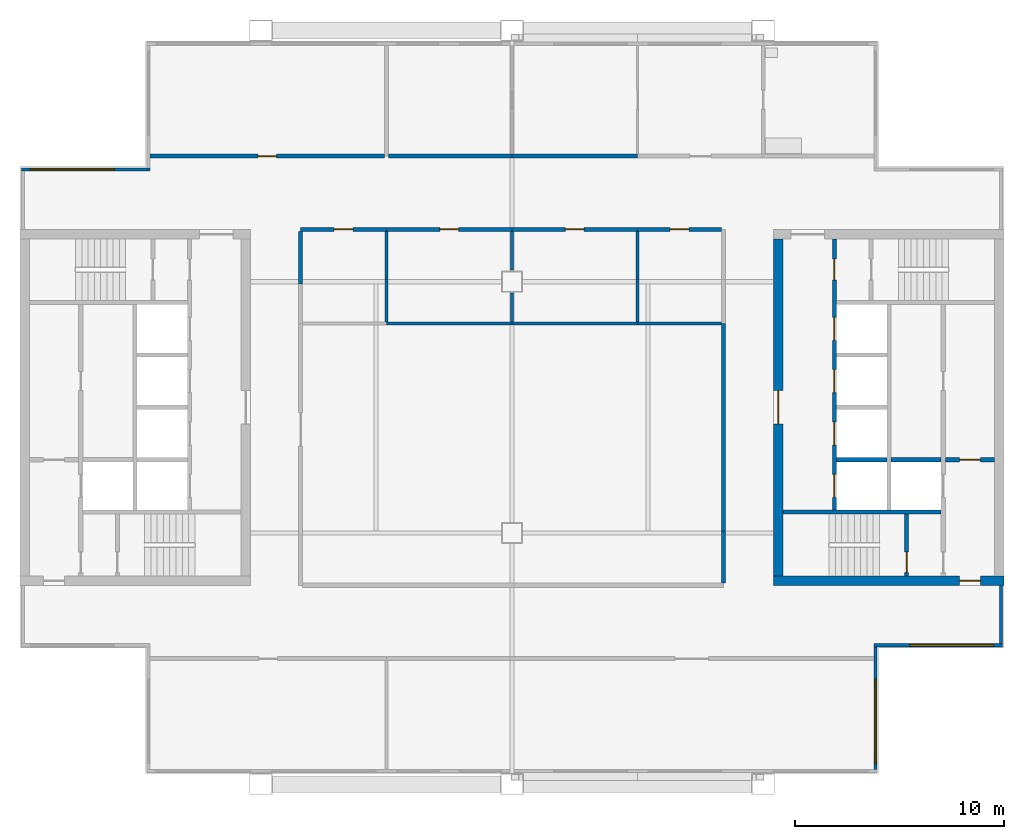
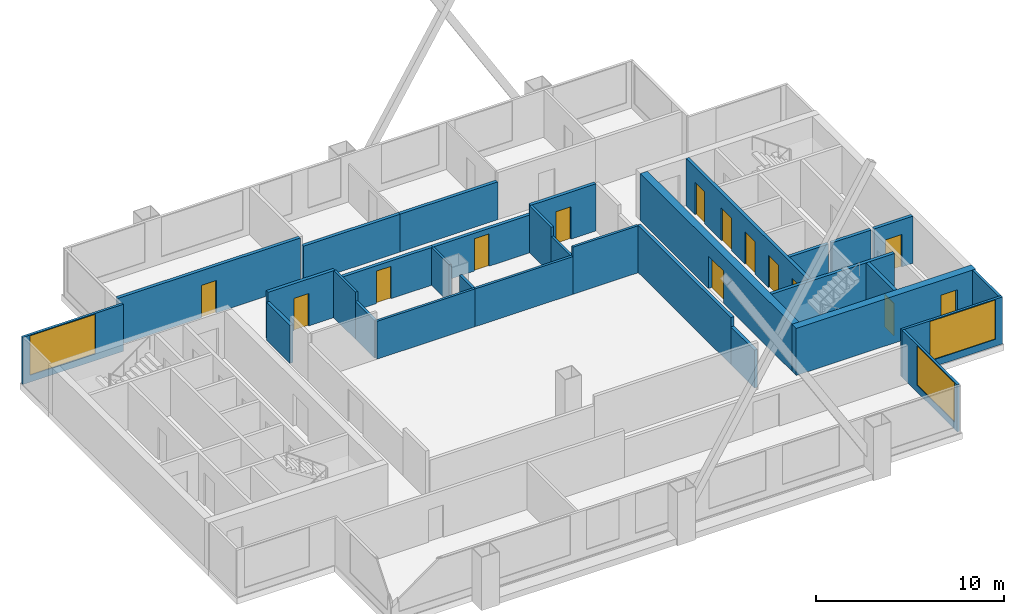
# One storey, part 3 of 7: 31 walls, 14 doors, 3 windows, 17 openings.
"""IFC4 building model written with IfcOpenShell, lengths in metres."""

from ifc_helpers import new_model, si_unit, direction, frame, frame_2d, origin, place, context, subcontext, project, spatial, rectangle, extrude, material, layer, layer_set, type_object, element, fill, save


model = new_model("IFC4")

# Units and contexts
model_context = context("Model", 3, precision=1e-05, world=origin(), true_north=direction((0.0, 1.0)))
body_context = subcontext(model_context, "Body", "Model", "MODEL_VIEW")
ifc_project = project(units=[si_unit("LENGTHUNIT", "METRE"), si_unit("AREAUNIT", "SQUARE_METRE"), si_unit("VOLUMEUNIT", "CUBIC_METRE"), si_unit("PLANEANGLEUNIT", "RADIAN"), si_unit("MASSUNIT", "GRAM", prefix="KILO")], contexts=[model_context])

# Site, building, storey
site_placement = place(None, origin())
site = spatial("IfcSite", under=ifc_project, at=site_placement, CompositionType="ELEMENT")
building_placement = place(site_placement, origin())
building = spatial("IfcBuilding", under=site, at=building_placement, Name="Kitamizu Gate Tower and Museum", CompositionType="ELEMENT")
storey_placement = place(building_placement, frame((0.0, 0.0, 238.64990234375)))
storey = spatial("IfcBuildingStorey", under=building, at=storey_placement, Name="L64", CompositionType="ELEMENT", Elevation=238.64990234375)

# Wall, opening, door
ifc_material_1 = material(Name="Concrete Fc42", Category="concrete")
ifc_layer_1 = layer(ifc_material_1, 0.449951171875)
ifc_layer_set_1 = layer_set([ifc_layer_1], Name="Concrete Fc42")
wall_type_1 = type_object("IfcWallType", Name="Core wall 450", PredefinedType="SHEAR", material=ifc_layer_set_1)
wall_1_placement = place(storey_placement, frame((59.5, 21.72509765625, 0.0), z_axis=(0.0, 0.0, 1.0), x_axis=(-1.0, 0.0, 0.0)))
wall_1 = element("IfcWall", 1, at=wall_1_placement, inside=storey, type_object=wall_type_1, Name="Core wall ES", PredefinedType="SHEAR", context=body_context, shape_type="SweptSolid", body=[
    extrude(rectangle(XDim=11.0, YDim=0.449951171875, at=frame_2d((5.5, 0.0))), origin(), (0.0, 0.0, 1.0), 3.050048828125),
])
opening_1_placement = place(wall_1_placement, frame((1.125, 0.0, 0.0)))
opening_1 = element("IfcOpeningElement", 2, at=opening_1_placement, cuts=wall_1, Name="Opening L64-027", PredefinedType="OPENING", context=body_context, shape_type="SweptSolid", body=[
    extrude(rectangle(XDim=1.0, YDim=2.10009765625, at=frame_2d((0.5, 1.050048828125))), frame((0.0, 0.23486328125, 0.0), z_axis=(0.0, -1.0, 0.0), x_axis=(1.0, 0.0, 0.0)), (0.0, 0.0, 1.0), 0.469970703125),
])
ifc_material_2 = material(Name="Hollow metal door set")
door_type_1 = type_object("IfcDoorType", Name="Fire door 1000", OperationType="NOTDEFINED", PredefinedType="DOOR", material=ifc_material_2)
door_1_placement = place(opening_1_placement, frame((1.0, 0.0, 0.0), x_axis=(-1.0, 0.0, 0.0)))
door_1 = element("IfcDoor", 3, at=door_1_placement, inside=storey, type_object=door_type_1, Name="Fire-fighting lobby door L64-027", OperationType="SINGLE_SWING_LEFT", OverallHeight=2.10009765625, OverallWidth=1.0, PredefinedType="DOOR", context=body_context, shape_type="SweptSolid", body=[
    extrude(rectangle(XDim=1.0, YDim=2.10009765625, at=frame_2d((0.5, 1.050048828125))), frame((0.0, 0.02490234375, 0.0), z_axis=(0.0, -1.0, 0.0), x_axis=(1.0, 0.0, 0.0)), (0.0, 0.0, 1.0), 0.050048828125),
])
fill(opening_1, door_1)

wall_2_placement = place(storey_placement, frame((48.72509765625, 21.949951171875, 0.0), z_axis=(0.0, 0.0, 1.0), x_axis=(0.0, 1.0, 0.0)))
wall_2 = element("IfcWall", 4, at=wall_2_placement, inside=storey, type_object=wall_type_1, Name="Core wall EARC", PredefinedType="SHEAR", context=body_context, shape_type="SweptSolid", body=[
    extrude(rectangle(XDim=16.10009765625, YDim=0.449951171875, at=frame_2d((8.050048828125, 0.0))), origin(), (0.0, 0.0, 1.0), 3.050048828125),
])
opening_2_placement = place(wall_2_placement, frame((7.25, 0.0, 0.0)))
opening_2 = element("IfcOpeningElement", 5, at=opening_2_placement, cuts=wall_2, Name="Opening L64-029", PredefinedType="OPENING", context=body_context, shape_type="SweptSolid", body=[
    extrude(rectangle(XDim=1.60009765625, YDim=2.10009765625, at=frame_2d((0.800048828125, 1.050048828125))), frame((0.0, 0.23486328125, 0.0), z_axis=(0.0, -1.0, 0.0), x_axis=(1.0, 0.0, 0.0)), (0.0, 0.0, 1.0), 0.469970703125),
])
ifc_material_3 = material(Name="Timber door set", Category="wood")
door_type_2 = type_object("IfcDoorType", Name="Entrance door 1600", OperationType="DOUBLE_DOOR_SINGLE_SWING", PredefinedType="DOOR", material=ifc_material_3)
door_2_placement = place(opening_2_placement, origin())
door_2 = element("IfcDoor", 6, at=door_2_placement, inside=storey, type_object=door_type_2, Name="Lobby door L64-029", OperationType="DOUBLE_DOOR_SINGLE_SWING", OverallHeight=2.10009765625, OverallWidth=1.60009765625, PredefinedType="DOOR", context=body_context, shape_type="SweptSolid", body=[
    extrude(rectangle(XDim=1.60009765625, YDim=2.10009765625, at=frame_2d((0.800048828125, 1.050048828125))), frame((0.0, 0.02490234375, 0.0), z_axis=(0.0, -1.0, 0.0), x_axis=(1.0, 0.0, 0.0)), (0.0, 0.0, 1.0), 0.050048828125),
])
fill(opening_2, door_2)

# Walls
ifc_material_4 = material(Name="Gypsum board on galvanised stud")
ifc_layer_2 = layer(ifc_material_4, 0.14990234375)
ifc_layer_set_2 = layer_set([ifc_layer_2], Name="Gypsum board on galvanised stud")
wall_type_2 = type_object("IfcWallType", Name="Partition 150", PredefinedType="PARTITIONING", material=ifc_layer_set_2)
for number, where, z_axis, x_axis, name in (
    (7, (36.0, 34.0, 0.0), (0.0, 0.0, 1.0), (-1.0, 0.0, 0.0), "Partition L64-029"),
    (8, (42.0, 34.0, 0.0), (0.0, 0.0, 1.0), (-1.0, 0.0, 0.0), "Partition L64-030"),
):
    element("IfcWall", number, at=place(storey_placement, frame(where, z_axis=z_axis, x_axis=x_axis)), inside=storey, type_object=wall_type_2, Name=name, PredefinedType="PARTITIONING", context=body_context, shape_type="SweptSolid", body=[
        extrude(rectangle(XDim=6.0, YDim=0.14990234375, at=frame_2d((3.0, 0.0))), origin(), (0.0, 0.0, 1.0), 2.4501953125),
    ])
wall_3_placement = place(storey_placement, frame((46.0, 34.0, 0.0), z_axis=(0.0, 0.0, 1.0), x_axis=(-1.0, 0.0, 0.0)))
element("IfcWall", 9, at=wall_3_placement, inside=storey, type_object=wall_type_2, Name="Partition L64-031", PredefinedType="PARTITIONING", context=body_context, shape_type="SweptSolid", body=[
    extrude(rectangle(XDim=4.0, YDim=0.14990234375, at=frame_2d((2.0, 0.0))), origin(), (0.0, 0.0, 1.0), 3.050048828125),
])
wall_4_placement = place(storey_placement, frame((30.0, 34.074951171875, 0.0), z_axis=(0.0, 0.0, 1.0), x_axis=(0.0, 1.0, 0.0)))
element("IfcWall", 10, at=wall_4_placement, inside=storey, type_object=wall_type_2, Name="Partition L64-032", PredefinedType="PARTITIONING", context=body_context, shape_type="SweptSolid", body=[
    extrude(rectangle(XDim=2.025146484375, YDim=0.14990234375, at=frame_2d((1.0126953125, 0.0))), origin(), (0.0, 0.0, 1.0), 2.4501953125),
])
wall_5_placement = place(storey_placement, frame((30.0, 36.10009765625, 0.0), z_axis=(0.0, 0.0, 1.0), x_axis=(0.0, 1.0, 0.0)))
element("IfcWall", 11, at=wall_5_placement, inside=storey, type_object=wall_type_2, Name="Partition L64-033", PredefinedType="PARTITIONING", context=body_context, shape_type="SweptSolid", body=[
    extrude(rectangle(XDim=2.2998046875, YDim=0.14990234375, at=frame_2d((1.14990234375, 0.0))), origin(), (0.0, 0.0, 1.0), 3.050048828125),
])
wall_6_placement = place(storey_placement, frame((36.0, 34.074951171875, 0.0), z_axis=(0.0, 0.0, 1.0), x_axis=(0.0, 1.0, 0.0)))
element("IfcWall", 12, at=wall_6_placement, inside=storey, type_object=wall_type_2, Name="Partition L64-034", PredefinedType="PARTITIONING", context=body_context, shape_type="SweptSolid", body=[
    extrude(rectangle(XDim=1.375, YDim=0.14990234375, at=frame_2d((0.6875, 0.0))), origin(), (0.0, 0.0, 1.0), 2.4501953125),
])
wall_7_placement = place(storey_placement, frame((36.0, 36.550048828125, 0.0), z_axis=(0.0, 0.0, 1.0), x_axis=(0.0, 1.0, 0.0)))
element("IfcWall", 13, at=wall_7_placement, inside=storey, type_object=wall_type_2, Name="Partition L64-035", PredefinedType="PARTITIONING", context=body_context, shape_type="SweptSolid", body=[
    extrude(rectangle(XDim=1.849853515625, YDim=0.14990234375, at=frame_2d((0.9248046875, 0.0))), origin(), (0.0, 0.0, 1.0), 2.4501953125),
])
wall_8_placement = place(storey_placement, frame((42.0, 34.074951171875, 0.0), z_axis=(0.0, 0.0, 1.0), x_axis=(0.0, 1.0, 0.0)))
element("IfcWall", 14, at=wall_8_placement, inside=storey, type_object=wall_type_2, Name="Partition L64-036", PredefinedType="PARTITIONING", context=body_context, shape_type="SweptSolid", body=[
    extrude(rectangle(XDim=2.025146484375, YDim=0.14990234375, at=frame_2d((1.0126953125, 0.0))), origin(), (0.0, 0.0, 1.0), 2.4501953125),
])
wall_9_placement = place(storey_placement, frame((42.0, 36.10009765625, 0.0), z_axis=(0.0, 0.0, 1.0), x_axis=(0.0, 1.0, 0.0)))
element("IfcWall", 15, at=wall_9_placement, inside=storey, type_object=wall_type_2, Name="Partition L64-037", PredefinedType="PARTITIONING", context=body_context, shape_type="SweptSolid", body=[
    extrude(rectangle(XDim=2.2998046875, YDim=0.14990234375, at=frame_2d((1.14990234375, 0.0))), origin(), (0.0, 0.0, 1.0), 3.050048828125),
])

# Wall, opening, door
ifc_material_5 = material(Name="Gypsum board on galvanised stud")
ifc_layer_3 = layer(ifc_material_5, 0.199951171875)
ifc_layer_set_3 = layer_set([ifc_layer_3], Name="Gypsum board on galvanised stud")
wall_type_3 = type_object("IfcWallType", Name="Partition 200", PredefinedType="PARTITIONING", material=ifc_layer_set_3)
wall_10_placement = place(storey_placement, frame((18.719970703125, 42.0, 0.0), z_axis=(0.0, 0.0, 1.0), x_axis=(1.0, 0.0, 0.0)))
wall_10 = element("IfcWall", 16, at=wall_10_placement, inside=storey, type_object=wall_type_3, Name="Partition L64-002", PredefinedType="PARTITIONING", context=body_context, shape_type="SweptSolid", body=[
    extrude(rectangle(XDim=11.179931640625, YDim=0.199951171875, at=frame_2d((5.58984375, 0.0))), origin(), (0.0, 0.0, 1.0), 3.050048828125),
])
opening_3_placement = place(wall_10_placement, frame((5.139892578125, 0.0, 0.0)))
opening_3 = element("IfcOpeningElement", 17, at=opening_3_placement, cuts=wall_10, Name="Opening L64-005", PredefinedType="OPENING", context=body_context, shape_type="SweptSolid", body=[
    extrude(rectangle(XDim=0.89990234375, YDim=2.10009765625, at=frame_2d((0.449951171875, 1.050048828125))), frame((0.0, 0.10986328125, 0.0), z_axis=(0.0, -1.0, 0.0), x_axis=(1.0, 0.0, 0.0)), (0.0, 0.0, 1.0), 0.219970703125),
])
ifc_material_6 = material(Name="Timber door set", Category="wood")
door_type_3 = type_object("IfcDoorType", Name="Room door 900", OperationType="NOTDEFINED", PredefinedType="DOOR", material=ifc_material_6)
door_3_placement = place(opening_3_placement, origin())
door_3 = element("IfcDoor", 18, at=door_3_placement, inside=storey, type_object=door_type_3, Name="Door L64-005", OperationType="SINGLE_SWING_RIGHT", OverallHeight=2.10009765625, OverallWidth=0.89990234375, PredefinedType="DOOR", context=body_context, shape_type="SweptSolid", body=[
    extrude(rectangle(XDim=0.89990234375, YDim=2.10009765625, at=frame_2d((0.449951171875, 1.050048828125))), frame((0.0, 0.02490234375, 0.0), z_axis=(0.0, -1.0, 0.0), x_axis=(1.0, 0.0, 0.0)), (0.0, 0.0, 1.0), 0.050048828125),
])
fill(opening_3, door_3)

# Walls
wall_11_placement = place(storey_placement, frame((30.10009765625, 42.0, 0.0), z_axis=(0.0, 0.0, 1.0), x_axis=(1.0, 0.0, 0.0)))
element("IfcWall", 19, at=wall_11_placement, inside=storey, type_object=wall_type_3, Name="Partition L64-004", PredefinedType="PARTITIONING", context=body_context, shape_type="SweptSolid", body=[
    extrude(rectangle(XDim=5.89990234375, YDim=0.199951171875, at=frame_2d((2.949951171875, 0.0))), origin(), (0.0, 0.0, 1.0), 2.4501953125),
])
wall_12_placement = place(storey_placement, frame((36.0, 42.0, 0.0), z_axis=(0.0, 0.0, 1.0), x_axis=(1.0, 0.0, 0.0)))
element("IfcWall", 20, at=wall_12_placement, inside=storey, type_object=wall_type_3, Name="Partition L64-006", PredefinedType="PARTITIONING", context=body_context, shape_type="SweptSolid", body=[
    extrude(rectangle(XDim=6.0, YDim=0.199951171875, at=frame_2d((3.0, 0.0))), origin(), (0.0, 0.0, 1.0), 2.4501953125),
])
wall_13_placement = place(storey_placement, frame((46.10009765625, 21.60009765625, 0.0), z_axis=(0.0, 0.0, 1.0), x_axis=(0.0, 1.0, 0.0)))
element("IfcWall", 21, at=wall_13_placement, inside=storey, type_object=wall_type_3, Name="Partition L64-018", PredefinedType="PARTITIONING", context=body_context, shape_type="SweptSolid", body=[
    extrude(rectangle(XDim=2.5, YDim=0.199951171875, at=frame_2d((1.25, 0.0))), origin(), (0.0, 0.0, 1.0), 2.4501953125),
])
wall_14_placement = place(storey_placement, frame((46.10009765625, 24.10009765625, 0.0), z_axis=(0.0, 0.0, 1.0), x_axis=(0.0, 1.0, 0.0)))
element("IfcWall", 22, at=wall_14_placement, inside=storey, type_object=wall_type_3, Name="Partition L64-019", PredefinedType="PARTITIONING", context=body_context, shape_type="SweptSolid", body=[
    extrude(rectangle(XDim=9.89990234375, YDim=0.199951171875, at=frame_2d((4.949951171875, 0.0))), origin(), (0.0, 0.0, 1.0), 3.050048828125),
])

# Wall, opening, door
wall_15_placement = place(storey_placement, frame((30.0, 38.5, 0.0), z_axis=(0.0, 0.0, 1.0), x_axis=(-1.0, 0.0, 0.0)))
wall_15 = element("IfcWall", 23, at=wall_15_placement, inside=storey, type_object=wall_type_3, Name="Partition L64-020", PredefinedType="PARTITIONING", context=body_context, shape_type="SweptSolid", body=[
    extrude(rectangle(XDim=4.10009765625, YDim=0.199951171875, at=frame_2d((2.050048828125, 0.0))), origin(), (0.0, 0.0, 1.0), 3.050048828125),
])
opening_4_placement = place(wall_15_placement, frame((1.60009765625, 0.0, 0.0)))
opening_4 = element("IfcOpeningElement", 24, at=opening_4_placement, cuts=wall_15, Name="Opening L64-009", PredefinedType="OPENING", context=body_context, shape_type="SweptSolid", body=[
    extrude(rectangle(XDim=0.89990234375, YDim=2.10009765625, at=frame_2d((0.449951171875, 1.050048828125))), frame((0.0, 0.10986328125, 0.0), z_axis=(0.0, -1.0, 0.0), x_axis=(1.0, 0.0, 0.0)), (0.0, 0.0, 1.0), 0.219970703125),
])
door_4_placement = place(opening_4_placement, origin())
door_4 = element("IfcDoor", 25, at=door_4_placement, inside=storey, type_object=door_type_3, Name="Door L64-009", OperationType="SINGLE_SWING_RIGHT", OverallHeight=2.10009765625, OverallWidth=0.89990234375, PredefinedType="DOOR", context=body_context, shape_type="SweptSolid", body=[
    extrude(rectangle(XDim=0.89990234375, YDim=2.10009765625, at=frame_2d((0.449951171875, 1.050048828125))), frame((0.0, 0.02490234375, 0.0), z_axis=(0.0, -1.0, 0.0), x_axis=(1.0, 0.0, 0.0)), (0.0, 0.0, 1.0), 0.050048828125),
])
fill(opening_4, door_4)

# Wall
wall_16_placement = place(storey_placement, frame((25.89990234375, 38.39990234375, 0.0), z_axis=(0.0, 0.0, 1.0), x_axis=(0.0, -1.0, 0.0)))
element("IfcWall", 26, at=wall_16_placement, inside=storey, type_object=wall_type_3, Name="Partition L64-021", PredefinedType="PARTITIONING", context=body_context, shape_type="SweptSolid", body=[
    extrude(rectangle(XDim=2.5, YDim=0.199951171875, at=frame_2d((1.25, 0.0))), origin(), (0.0, 0.0, 1.0), 2.4501953125),
])

# Wall, opening, door
wall_17_placement = place(storey_placement, frame((36.0, 38.5, 0.0), z_axis=(0.0, 0.0, 1.0), x_axis=(-1.0, 0.0, 0.0)))
wall_17 = element("IfcWall", 27, at=wall_17_placement, inside=storey, type_object=wall_type_3, Name="Partition L64-023", PredefinedType="PARTITIONING", context=body_context, shape_type="SweptSolid", body=[
    extrude(rectangle(XDim=6.0, YDim=0.199951171875, at=frame_2d((3.0, 0.0))), origin(), (0.0, 0.0, 1.0), 2.4501953125),
])
opening_5_placement = place(wall_17_placement, frame((2.550048828125, 0.0, 0.0)))
opening_5 = element("IfcOpeningElement", 28, at=opening_5_placement, cuts=wall_17, Name="Opening L64-010", PredefinedType="OPENING", context=body_context, shape_type="SweptSolid", body=[
    extrude(rectangle(XDim=0.89990234375, YDim=2.10009765625, at=frame_2d((0.449951171875, 1.050048828125))), frame((0.0, 0.10986328125, 0.0), z_axis=(0.0, -1.0, 0.0), x_axis=(1.0, 0.0, 0.0)), (0.0, 0.0, 1.0), 0.219970703125),
])
door_5_placement = place(opening_5_placement, origin())
door_5 = element("IfcDoor", 29, at=door_5_placement, inside=storey, type_object=door_type_3, Name="Door L64-010", OperationType="SINGLE_SWING_LEFT", OverallHeight=2.10009765625, OverallWidth=0.89990234375, PredefinedType="DOOR", context=body_context, shape_type="SweptSolid", body=[
    extrude(rectangle(XDim=0.89990234375, YDim=2.10009765625, at=frame_2d((0.449951171875, 1.050048828125))), frame((0.0, 0.02490234375, 0.0), z_axis=(0.0, -1.0, 0.0), x_axis=(1.0, 0.0, 0.0)), (0.0, 0.0, 1.0), 0.050048828125),
])
fill(opening_5, door_5)

wall_18_placement = place(storey_placement, frame((42.0, 38.5, 0.0), z_axis=(0.0, 0.0, 1.0), x_axis=(-1.0, 0.0, 0.0)))
wall_18 = element("IfcWall", 30, at=wall_18_placement, inside=storey, type_object=wall_type_3, Name="Partition L64-024", PredefinedType="PARTITIONING", context=body_context, shape_type="SweptSolid", body=[
    extrude(rectangle(XDim=6.0, YDim=0.199951171875, at=frame_2d((3.0, 0.0))), origin(), (0.0, 0.0, 1.0), 2.4501953125),
])
opening_6_placement = place(wall_18_placement, frame((2.550048828125, 0.0, 0.0)))
opening_6 = element("IfcOpeningElement", 31, at=opening_6_placement, cuts=wall_18, Name="Opening L64-011", PredefinedType="OPENING", context=body_context, shape_type="SweptSolid", body=[
    extrude(rectangle(XDim=0.89990234375, YDim=2.10009765625, at=frame_2d((0.449951171875, 1.050048828125))), frame((0.0, 0.10986328125, 0.0), z_axis=(0.0, -1.0, 0.0), x_axis=(1.0, 0.0, 0.0)), (0.0, 0.0, 1.0), 0.219970703125),
])
door_6_placement = place(opening_6_placement, origin())
door_6 = element("IfcDoor", 32, at=door_6_placement, inside=storey, type_object=door_type_3, Name="Door L64-011", OperationType="SINGLE_SWING_RIGHT", OverallHeight=2.10009765625, OverallWidth=0.89990234375, PredefinedType="DOOR", context=body_context, shape_type="SweptSolid", body=[
    extrude(rectangle(XDim=0.89990234375, YDim=2.10009765625, at=frame_2d((0.449951171875, 1.050048828125))), frame((0.0, 0.02490234375, 0.0), z_axis=(0.0, -1.0, 0.0), x_axis=(1.0, 0.0, 0.0)), (0.0, 0.0, 1.0), 0.050048828125),
])
fill(opening_6, door_6)

wall_19_placement = place(storey_placement, frame((46.0, 38.5, 0.0), z_axis=(0.0, 0.0, 1.0), x_axis=(-1.0, 0.0, 0.0)))
wall_19 = element("IfcWall", 33, at=wall_19_placement, inside=storey, type_object=wall_type_3, Name="Partition L64-027", PredefinedType="PARTITIONING", context=body_context, shape_type="SweptSolid", body=[
    extrude(rectangle(XDim=4.0, YDim=0.199951171875, at=frame_2d((2.0, 0.0))), origin(), (0.0, 0.0, 1.0), 3.050048828125),
])
opening_7_placement = place(wall_19_placement, frame((1.550048828125, 0.0, 0.0)))
opening_7 = element("IfcOpeningElement", 34, at=opening_7_placement, cuts=wall_19, Name="Opening L64-012", PredefinedType="OPENING", context=body_context, shape_type="SweptSolid", body=[
    extrude(rectangle(XDim=0.89990234375, YDim=2.10009765625, at=frame_2d((0.449951171875, 1.050048828125))), frame((0.0, 0.10986328125, 0.0), z_axis=(0.0, -1.0, 0.0), x_axis=(1.0, 0.0, 0.0)), (0.0, 0.0, 1.0), 0.219970703125),
])
door_7_placement = place(opening_7_placement, origin())
door_7 = element("IfcDoor", 35, at=door_7_placement, inside=storey, type_object=door_type_3, Name="Door L64-012", OperationType="SINGLE_SWING_LEFT", OverallHeight=2.10009765625, OverallWidth=0.89990234375, PredefinedType="DOOR", context=body_context, shape_type="SweptSolid", body=[
    extrude(rectangle(XDim=0.89990234375, YDim=2.10009765625, at=frame_2d((0.449951171875, 1.050048828125))), frame((0.0, 0.02490234375, 0.0), z_axis=(0.0, -1.0, 0.0), x_axis=(1.0, 0.0, 0.0)), (0.0, 0.0, 1.0), 0.050048828125),
])
fill(opening_7, door_7)

# Wall, openings, doors
ifc_material_7 = material(Name="Concrete Fc42", Category="concrete")
ifc_layer_4 = layer(ifc_material_7, 0.199951171875)
ifc_layer_set_4 = layer_set([ifc_layer_4], Name="Concrete Fc42")
wall_type_4 = type_object("IfcWallType", Name="Shaft wall 200", PredefinedType="SOLIDWALL", material=ifc_layer_set_4)
wall_20_placement = place(storey_placement, frame((51.39990234375, 25.10009765625, 0.0), z_axis=(0.0, 0.0, 1.0), x_axis=(0.0, 1.0, 0.0)))
wall_20 = element("IfcWall", 36, at=wall_20_placement, inside=storey, type_object=wall_type_4, Name="Shaft wall EEAST", PredefinedType="SOLIDWALL", context=body_context, shape_type="SweptSolid", body=[
    extrude(rectangle(XDim=12.949951171875, YDim=0.199951171875, at=frame_2d((6.47509765625, 0.0))), origin(), (0.0, 0.0, 1.0), 3.050048828125),
])
opening_8_placement = place(wall_20_placement, frame((0.60009765625, 0.0, 0.0)))
opening_8 = element("IfcOpeningElement", 37, at=opening_8_placement, cuts=wall_20, Name="Opening LD", PredefinedType="OPENING", context=body_context, shape_type="SweptSolid", body=[
    extrude(rectangle(XDim=1.10009765625, YDim=2.10009765625, at=frame_2d((0.550048828125, 1.050048828125))), frame((0.0, 0.10986328125, 0.0), z_axis=(0.0, -1.0, 0.0), x_axis=(1.0, 0.0, 0.0)), (0.0, 0.0, 1.0), 0.219970703125),
])
opening_9_placement = place(wall_20_placement, frame((3.10009765625, 0.0, 0.0)))
opening_9 = element("IfcOpeningElement", 38, at=opening_9_placement, cuts=wall_20, Name="Opening LD", PredefinedType="OPENING", context=body_context, shape_type="SweptSolid", body=[
    extrude(rectangle(XDim=1.10009765625, YDim=2.10009765625, at=frame_2d((0.550048828125, 1.050048828125))), frame((0.0, 0.10986328125, 0.0), z_axis=(0.0, -1.0, 0.0), x_axis=(1.0, 0.0, 0.0)), (0.0, 0.0, 1.0), 0.219970703125),
])
opening_10_placement = place(wall_20_placement, frame((5.60009765625, 0.0, 0.0)))
opening_10 = element("IfcOpeningElement", 39, at=opening_10_placement, cuts=wall_20, Name="Opening LD", PredefinedType="OPENING", context=body_context, shape_type="SweptSolid", body=[
    extrude(rectangle(XDim=1.10009765625, YDim=2.10009765625, at=frame_2d((0.550048828125, 1.050048828125))), frame((0.0, 0.10986328125, 0.0), z_axis=(0.0, -1.0, 0.0), x_axis=(1.0, 0.0, 0.0)), (0.0, 0.0, 1.0), 0.219970703125),
])
opening_11_placement = place(wall_20_placement, frame((8.10009765625, 0.0, 0.0)))
opening_11 = element("IfcOpeningElement", 40, at=opening_11_placement, cuts=wall_20, Name="Opening LD", PredefinedType="OPENING", context=body_context, shape_type="SweptSolid", body=[
    extrude(rectangle(XDim=1.10009765625, YDim=2.10009765625, at=frame_2d((0.550048828125, 1.050048828125))), frame((0.0, 0.10986328125, 0.0), z_axis=(0.0, -1.0, 0.0), x_axis=(1.0, 0.0, 0.0)), (0.0, 0.0, 1.0), 0.219970703125),
])
opening_12_placement = place(wall_20_placement, frame((10.97509765625, 0.0, 0.0)))
opening_12 = element("IfcOpeningElement", 41, at=opening_12_placement, cuts=wall_20, Name="Opening L64-024", PredefinedType="OPENING", context=body_context, shape_type="SweptSolid", body=[
    extrude(rectangle(XDim=1.0, YDim=2.10009765625, at=frame_2d((0.5, 1.050048828125))), frame((0.0, 0.10986328125, 0.0), z_axis=(0.0, -1.0, 0.0), x_axis=(1.0, 0.0, 0.0)), (0.0, 0.0, 1.0), 0.219970703125),
])
door_8_placement = place(opening_12_placement, frame((1.0, 0.0, 0.0), x_axis=(-1.0, 0.0, 0.0)))
door_8 = element("IfcDoor", 42, at=door_8_placement, inside=storey, type_object=door_type_1, Name="Stair lobby door L64-024", OperationType="SINGLE_SWING_RIGHT", OverallHeight=2.10009765625, OverallWidth=1.0, PredefinedType="DOOR", context=body_context, shape_type="SweptSolid", body=[
    extrude(rectangle(XDim=1.0, YDim=2.10009765625, at=frame_2d((0.5, 1.050048828125))), frame((0.0, 0.02490234375, 0.0), z_axis=(0.0, -1.0, 0.0), x_axis=(1.0, 0.0, 0.0)), (0.0, 0.0, 1.0), 0.050048828125),
])
fill(opening_12, door_8)
ifc_material_8 = material(Name="Hollow metal door set")
door_type_4 = type_object("IfcDoorType", Name="Landing door 1100", OperationType="SLIDING_TO_LEFT", PredefinedType="DOOR", material=ifc_material_8)
door_9_placement = place(opening_8_placement, origin())
door_9 = element("IfcDoor", 43, at=door_9_placement, inside=storey, type_object=door_type_4, Name="Landing door ESV1", OperationType="SLIDING_TO_LEFT", OverallHeight=2.10009765625, OverallWidth=1.10009765625, PredefinedType="DOOR", context=body_context, shape_type="SweptSolid", body=[
    extrude(rectangle(XDim=1.10009765625, YDim=2.10009765625, at=frame_2d((0.550048828125, 1.050048828125))), frame((0.0, 0.02490234375, 0.0), z_axis=(0.0, -1.0, 0.0), x_axis=(1.0, 0.0, 0.0)), (0.0, 0.0, 1.0), 0.050048828125),
])
fill(opening_8, door_9)
door_10_placement = place(opening_9_placement, origin())
door_10 = element("IfcDoor", 44, at=door_10_placement, inside=storey, type_object=door_type_4, Name="Landing door EH1", OperationType="SLIDING_TO_LEFT", OverallHeight=2.10009765625, OverallWidth=1.10009765625, PredefinedType="DOOR", context=body_context, shape_type="SweptSolid", body=[
    extrude(rectangle(XDim=1.10009765625, YDim=2.10009765625, at=frame_2d((0.550048828125, 1.050048828125))), frame((0.0, 0.02490234375, 0.0), z_axis=(0.0, -1.0, 0.0), x_axis=(1.0, 0.0, 0.0)), (0.0, 0.0, 1.0), 0.050048828125),
])
fill(opening_9, door_10)
door_11_placement = place(opening_10_placement, origin())
door_11 = element("IfcDoor", 45, at=door_11_placement, inside=storey, type_object=door_type_4, Name="Landing door EH2", OperationType="SLIDING_TO_LEFT", OverallHeight=2.10009765625, OverallWidth=1.10009765625, PredefinedType="DOOR", context=body_context, shape_type="SweptSolid", body=[
    extrude(rectangle(XDim=1.10009765625, YDim=2.10009765625, at=frame_2d((0.550048828125, 1.050048828125))), frame((0.0, 0.02490234375, 0.0), z_axis=(0.0, -1.0, 0.0), x_axis=(1.0, 0.0, 0.0)), (0.0, 0.0, 1.0), 0.050048828125),
])
fill(opening_10, door_11)
door_12_placement = place(opening_11_placement, origin())
door_12 = element("IfcDoor", 46, at=door_12_placement, inside=storey, type_object=door_type_4, Name="Landing door EH3", OperationType="SLIDING_TO_LEFT", OverallHeight=2.10009765625, OverallWidth=1.10009765625, PredefinedType="DOOR", context=body_context, shape_type="SweptSolid", body=[
    extrude(rectangle(XDim=1.10009765625, YDim=2.10009765625, at=frame_2d((0.550048828125, 1.050048828125))), frame((0.0, 0.02490234375, 0.0), z_axis=(0.0, -1.0, 0.0), x_axis=(1.0, 0.0, 0.0)), (0.0, 0.0, 1.0), 0.050048828125),
])
fill(opening_11, door_12)

# Wall
wall_21_placement = place(storey_placement, frame((56.5, 25.0, 0.0), z_axis=(0.0, 0.0, 1.0), x_axis=(-1.0, 0.0, 0.0)))
element("IfcWall", 47, at=wall_21_placement, inside=storey, type_object=wall_type_4, Name="Shaft wall ESB", PredefinedType="SOLIDWALL", context=body_context, shape_type="SweptSolid", body=[
    extrude(rectangle(XDim=7.550048828125, YDim=0.199951171875, at=frame_2d((3.77490234375, 0.0))), origin(), (0.0, 0.0, 1.0), 3.050048828125),
])

# Wall, opening, door
wall_22_placement = place(storey_placement, frame((59.050048828125, 27.5, 0.0), z_axis=(0.0, 0.0, 1.0), x_axis=(-1.0, 0.0, 0.0)))
wall_22 = element("IfcWall", 48, at=wall_22_placement, inside=storey, type_object=wall_type_4, Name="Shaft wall EFFN", PredefinedType="SOLIDWALL", context=body_context, shape_type="SweptSolid", body=[
    extrude(rectangle(XDim=2.35009765625, YDim=0.199951171875, at=frame_2d((1.175048828125, 0.0))), origin(), (0.0, 0.0, 1.0), 3.050048828125),
])
opening_13_placement = place(wall_22_placement, frame((0.675048828125, 0.0, 0.0)))
opening_13 = element("IfcOpeningElement", 49, at=opening_13_placement, cuts=wall_22, Name="Opening L64-026", PredefinedType="OPENING", context=body_context, shape_type="SweptSolid", body=[
    extrude(rectangle(XDim=1.0, YDim=2.10009765625, at=frame_2d((0.5, 1.050048828125))), frame((0.0, 0.10986328125, 0.0), z_axis=(0.0, -1.0, 0.0), x_axis=(1.0, 0.0, 0.0)), (0.0, 0.0, 1.0), 0.219970703125),
])
door_13_placement = place(opening_13_placement, origin())
door_13 = element("IfcDoor", 50, at=door_13_placement, inside=storey, type_object=door_type_1, Name="Fire-fighting lobby door L64-026", OperationType="SINGLE_SWING_LEFT", OverallHeight=2.10009765625, OverallWidth=1.0, PredefinedType="DOOR", context=body_context, shape_type="SweptSolid", body=[
    extrude(rectangle(XDim=1.0, YDim=2.10009765625, at=frame_2d((0.5, 1.050048828125))), frame((0.0, 0.02490234375, 0.0), z_axis=(0.0, -1.0, 0.0), x_axis=(1.0, 0.0, 0.0)), (0.0, 0.0, 1.0), 0.050048828125),
])
fill(opening_13, door_13)

wall_23_placement = place(storey_placement, frame((54.85009765625, 21.949951171875, 0.0), z_axis=(0.0, 0.0, 1.0), x_axis=(0.0, 1.0, 0.0)))
wall_23 = element("IfcWall", 51, at=wall_23_placement, inside=storey, type_object=wall_type_4, Name="Shaft wall ESZ", PredefinedType="SOLIDWALL", context=body_context, shape_type="SweptSolid", body=[
    extrude(rectangle(XDim=2.949951171875, YDim=0.199951171875, at=frame_2d((1.47509765625, 0.0))), origin(), (0.0, 0.0, 1.0), 3.050048828125),
])
opening_14_placement = place(wall_23_placement, frame((0.14990234375, 0.0, 0.0)))
opening_14 = element("IfcOpeningElement", 52, at=opening_14_placement, cuts=wall_23, Name="Opening L64-022", PredefinedType="OPENING", context=body_context, shape_type="SweptSolid", body=[
    extrude(rectangle(XDim=1.0, YDim=2.10009765625, at=frame_2d((0.5, 1.050048828125))), frame((0.0, 0.10986328125, 0.0), z_axis=(0.0, -1.0, 0.0), x_axis=(1.0, 0.0, 0.0)), (0.0, 0.0, 1.0), 0.219970703125),
])
door_14_placement = place(opening_14_placement, origin())
door_14 = element("IfcDoor", 53, at=door_14_placement, inside=storey, type_object=door_type_1, Name="Stair door L64-022", OperationType="SINGLE_SWING_RIGHT", OverallHeight=2.10009765625, OverallWidth=1.0, PredefinedType="DOOR", context=body_context, shape_type="SweptSolid", body=[
    extrude(rectangle(XDim=1.0, YDim=2.10009765625, at=frame_2d((0.5, 1.050048828125))), frame((0.0, 0.02490234375, 0.0), z_axis=(0.0, -1.0, 0.0), x_axis=(1.0, 0.0, 0.0)), (0.0, 0.0, 1.0), 0.050048828125),
])
fill(opening_14, door_14)

# Walls
for number, where, z_axis, x_axis, name in (
    (54, (56.5, 27.5, 0.0), (0.0, 0.0, 1.0), (-1.0, 0.0, 0.0), "Shaft wall EDVW0"),
    (55, (53.89990234375, 27.5, 0.0), (0.0, 0.0, 1.0), (-1.0, 0.0, 0.0), "Shaft wall EDVE0"),
):
    element("IfcWall", number, at=place(storey_placement, frame(where, z_axis=z_axis, x_axis=x_axis)), inside=storey, type_object=wall_type_4, Name=name, PredefinedType="SOLIDWALL", context=body_context, shape_type="SweptSolid", body=[
        extrude(rectangle(XDim=2.39990234375, YDim=0.199951171875, at=frame_2d((1.199951171875, 0.0))), origin(), (0.0, 0.0, 1.0), 3.050048828125),
    ])

# Wall, opening, window
ifc_material_9 = material(Name="Bronze anodised aluminium frame with insulated spandrel and tinted glass", Category="aluminium")
ifc_layer_5 = layer(ifc_material_9, 0.14990234375)
ifc_layer_set_5 = layer_set([ifc_layer_5], Name="Bronze anodised aluminium frame with insulated spandrel and tinted glass")
wall_type_5 = type_object("IfcWallType", Name="WINDOW WALL 150 BRONZE FRAME EI 30", PredefinedType="ELEMENTEDWALL", material=ifc_layer_set_5)
wall_24_placement = place(storey_placement, frame((53.364990234375, 12.7099609375, 0.0), z_axis=(0.0, 0.0, 1.0), x_axis=(0.0, 1.0, 0.0)))
wall_24 = element("IfcWall", 56, at=wall_24_placement, inside=storey, type_object=wall_type_5, Name="Window wall east L64", PredefinedType="ELEMENTEDWALL", context=body_context, shape_type="SweptSolid", body=[
    extrude(rectangle(XDim=5.85009765625, YDim=0.14990234375, at=frame_2d((2.925048828125, 0.0))), origin(), (0.0, 0.0, 1.0), 3.050048828125),
])
opening_15_placement = place(wall_24_placement, frame((0.2900390625, 0.0, 0.449951171875)))
opening_15 = element("IfcOpeningElement", 57, at=opening_15_placement, cuts=wall_24, Name="Opening W16", PredefinedType="OPENING", context=body_context, shape_type="SweptSolid", body=[
    extrude(rectangle(XDim=4.0, YDim=2.550048828125, at=frame_2d((2.0, 1.27490234375))), frame((0.0, 0.0849609375, 0.0), z_axis=(0.0, -1.0, 0.0), x_axis=(1.0, 0.0, 0.0)), (0.0, 0.0, 1.0), 0.169921875),
])
ifc_material_10 = material(Name="Bronze anodised aluminium frame, tinted triple glazing", Category="aluminium")
window_type = type_object("IfcWindowType", Name="WINDOW 4000 x 2550 SILL 450", PartitioningType="SINGLE_PANEL", PredefinedType="WINDOW", material=ifc_material_10)
window_1_placement = place(opening_15_placement, origin())
window_1 = element("IfcWindow", 58, at=window_1_placement, inside=storey, type_object=window_type, Name="Window W16 L64", OverallHeight=2.550048828125, OverallWidth=4.0, PartitioningType="SINGLE_PANEL", PredefinedType="WINDOW", context=body_context, shape_type="SweptSolid", body=[
    extrude(rectangle(XDim=4.0, YDim=2.550048828125, at=frame_2d((2.0, 1.27490234375))), frame((0.0, 0.030029296875, 0.0), z_axis=(0.0, -1.0, 0.0), x_axis=(1.0, 0.0, 0.0)), (0.0, 0.0, 1.0), 0.06005859375),
])
fill(opening_15, window_1)

wall_25_placement = place(storey_placement, frame((53.2900390625, 18.635009765625, 0.0), z_axis=(0.0, 0.0, 1.0), x_axis=(1.0, 0.0, 0.0)))
wall_25 = element("IfcWall", 59, at=wall_25_placement, inside=storey, type_object=wall_type_5, Name="Window wall south L64", PredefinedType="ELEMENTEDWALL", context=body_context, shape_type="SweptSolid", body=[
    extrude(rectangle(XDim=6.14990234375, YDim=0.14990234375, at=frame_2d((3.074951171875, 0.0))), origin(), (0.0, 0.0, 1.0), 3.050048828125),
])
opening_16_placement = place(wall_25_placement, frame((1.7099609375, 0.0, 0.449951171875)))
opening_16 = element("IfcOpeningElement", 60, at=opening_16_placement, cuts=wall_25, Name="Opening W16", PredefinedType="OPENING", context=body_context, shape_type="SweptSolid", body=[
    extrude(rectangle(XDim=4.0, YDim=2.550048828125, at=frame_2d((2.0, 1.27490234375))), frame((0.0, 0.0849609375, 0.0), z_axis=(0.0, -1.0, 0.0), x_axis=(1.0, 0.0, 0.0)), (0.0, 0.0, 1.0), 0.169921875),
])
window_2_placement = place(opening_16_placement, origin())
window_2 = element("IfcWindow", 61, at=window_2_placement, inside=storey, type_object=window_type, Name="Window W16 L64", OverallHeight=2.550048828125, OverallWidth=4.0, PartitioningType="SINGLE_PANEL", PredefinedType="WINDOW", context=body_context, shape_type="SweptSolid", body=[
    extrude(rectangle(XDim=4.0, YDim=2.550048828125, at=frame_2d((2.0, 1.27490234375))), frame((0.0, 0.030029296875, 0.0), z_axis=(0.0, -1.0, 0.0), x_axis=(1.0, 0.0, 0.0)), (0.0, 0.0, 1.0), 0.06005859375),
])
fill(opening_16, window_2)

# Wall
wall_26_placement = place(storey_placement, frame((59.364990234375, 18.7099609375, 0.0), z_axis=(0.0, 0.0, 1.0), x_axis=(0.0, 1.0, 0.0)))
element("IfcWall", 62, at=wall_26_placement, inside=storey, type_object=wall_type_5, Name="Window wall east L64", PredefinedType="ELEMENTEDWALL", context=body_context, shape_type="SweptSolid", body=[
    extrude(rectangle(XDim=2.7900390625, YDim=0.14990234375, at=frame_2d((1.39501953125, 0.0))), origin(), (0.0, 0.0, 1.0), 3.050048828125),
])

# Wall, opening, window
wall_27_placement = place(storey_placement, frame((12.56005859375, 41.364990234375, 0.0), z_axis=(0.0, 0.0, 1.0), x_axis=(1.0, 0.0, 0.0)))
wall_27 = element("IfcWall", 63, at=wall_27_placement, inside=storey, type_object=wall_type_5, Name="Window wall north L64", PredefinedType="ELEMENTEDWALL", context=body_context, shape_type="SweptSolid", body=[
    extrude(rectangle(XDim=6.14990234375, YDim=0.14990234375, at=frame_2d((3.074951171875, 0.0))), origin(), (0.0, 0.0, 1.0), 3.050048828125),
])
opening_17_placement = place(wall_27_placement, frame((0.43994140625, 0.0, 0.449951171875)))
opening_17 = element("IfcOpeningElement", 64, at=opening_17_placement, cuts=wall_27, Name="Opening W16", PredefinedType="OPENING", context=body_context, shape_type="SweptSolid", body=[
    extrude(rectangle(XDim=4.0, YDim=2.550048828125, at=frame_2d((2.0, 1.27490234375))), frame((0.0, 0.0849609375, 0.0), z_axis=(0.0, -1.0, 0.0), x_axis=(1.0, 0.0, 0.0)), (0.0, 0.0, 1.0), 0.169921875),
])
window_3_placement = place(opening_17_placement, origin())
window_3 = element("IfcWindow", 65, at=window_3_placement, inside=storey, type_object=window_type, Name="Window W16 L64", OverallHeight=2.550048828125, OverallWidth=4.0, PartitioningType="SINGLE_PANEL", PredefinedType="WINDOW", context=body_context, shape_type="SweptSolid", body=[
    extrude(rectangle(XDim=4.0, YDim=2.550048828125, at=frame_2d((2.0, 1.27490234375))), frame((0.0, 0.030029296875, 0.0), z_axis=(0.0, -1.0, 0.0), x_axis=(1.0, 0.0, 0.0)), (0.0, 0.0, 1.0), 0.06005859375),
])
fill(opening_17, window_3)

save(model, "model.ifc")
